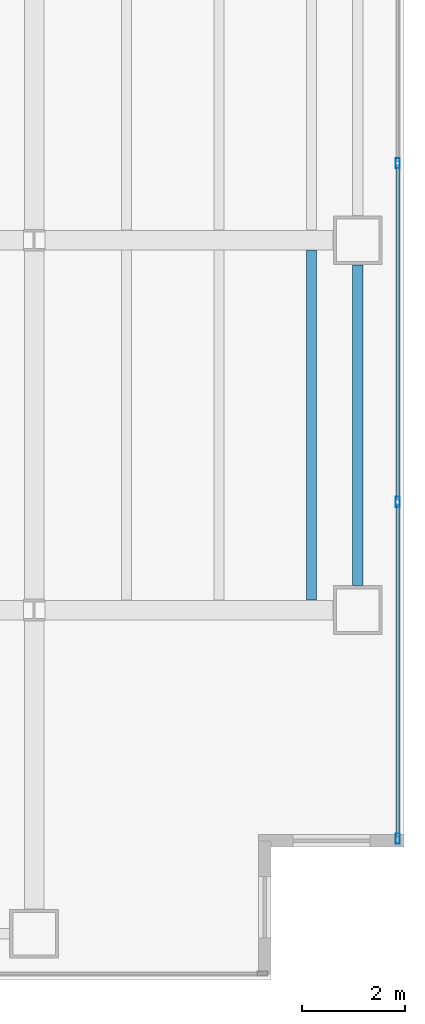
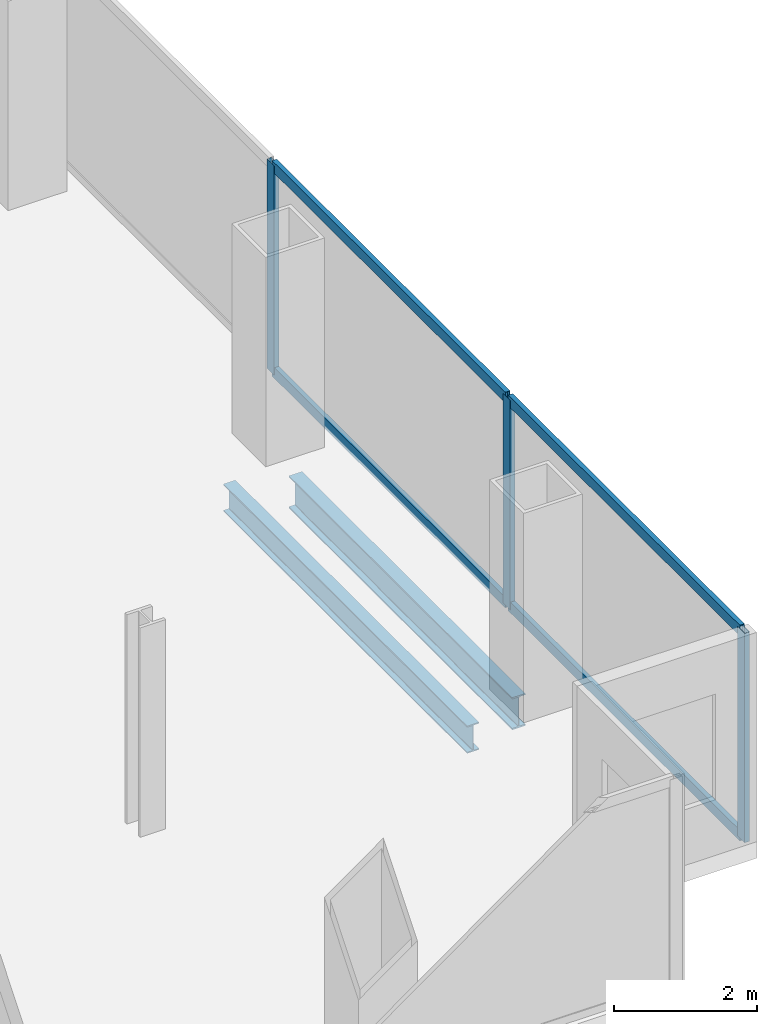
# One storey, part 10 of 23: 7 members, 2 beams, 1 element without a shape of its own.
"""IFC4 building model written with IfcOpenShell, lengths in metres."""

from ifc_helpers import new_model, si_unit, direction, frame, origin, origin_2d, place, context, subcontext, project, spatial, hollow_rectangle, i_section, extrude, material, material_profile, profile_set, type_object, element, aggregate, save


model = new_model("IFC4")

# Units and contexts
model_context = context("Model", 3, precision=1e-05, world=origin(), true_north=direction((0.0, 1.0)))
body_context = subcontext(model_context, "Body", "Model", "MODEL_VIEW")
ifc_project = project(units=[si_unit("LENGTHUNIT", "METRE"), si_unit("AREAUNIT", "SQUARE_METRE"), si_unit("VOLUMEUNIT", "CUBIC_METRE"), si_unit("PLANEANGLEUNIT", "RADIAN"), si_unit("MASSUNIT", "GRAM", prefix="KILO")], contexts=[model_context])

# Site, building, storey
site_placement = place(None, origin())
site = spatial("IfcSite", under=ifc_project, at=site_placement, CompositionType="ELEMENT")
building_placement = place(site_placement, origin())
building = spatial("IfcBuilding", under=site, at=building_placement, Name="Cobrela Telecom Tower", CompositionType="ELEMENT")
storey_placement = place(building_placement, frame((0.0, 0.0, 88.89990234375)))
storey = spatial("IfcBuildingStorey", under=building, at=storey_placement, Name="L22", CompositionType="ELEMENT", Elevation=88.89990234375)

# Beams
ifc_material_1 = material(Name="Steel ASTM A992 Grade 50", Category="steel")
ifc_material_profile_1 = material_profile(ifc_material_1, i_section(OverallWidth=0.193115234375, OverallDepth=0.467041015625, WebThickness=0.011474609375, FlangeThickness=0.01904296875, FilletRadius=0.012939453125, at=origin_2d()), Name="W18X65")
ifc_profile_set_1 = profile_set([ifc_material_profile_1], Name="Steel ASTM A992 Grade 50")
beam_type_1 = type_object("IfcBeamType", Name="BM-JOIST-03", PredefinedType="JOIST", material=ifc_profile_set_1)
beam_1_placement = place(storey_placement, frame((48.60009765625, 7.3955078125, -0.513427734375), z_axis=(0.0, 1.0, 0.0), x_axis=(-1.0, 0.0, 0.0)))
element("IfcBeam", 1, at=beam_1_placement, inside=storey, type_object=beam_type_1, Name="L22 Secondary Composite Floor Beam J63", PredefinedType="JOIST", context=body_context, shape_type="SweptSolid", body=[
    extrude(i_section(OverallWidth=0.193115234375, OverallDepth=0.467041015625, WebThickness=0.011474609375, FlangeThickness=0.01904296875, FilletRadius=0.012939453125, at=origin_2d()), origin(), (0.0, 0.0, 1.0), 6.80908203125),
])
ifc_material_profile_2 = material_profile(ifc_material_1, i_section(OverallWidth=0.212890625, OverallDepth=0.549072265625, WebThickness=0.0146484375, FlangeThickness=0.023681640625, FilletRadius=0.013916015625, at=origin_2d()), Name="W21X93")
ifc_profile_set_2 = profile_set([ifc_material_profile_2], Name="Steel ASTM A992 Grade 50")
beam_type_2 = type_object("IfcBeamType", Name="BM-SPAND-03", PredefinedType="SPANDREL", material=ifc_profile_set_2)
beam_2_placement = place(storey_placement, frame((49.5, 7.679931640625, -0.554443359375), z_axis=(0.0, 1.0, 0.0), x_axis=(-1.0, 0.0, 0.0)))
element("IfcBeam", 2, at=beam_2_placement, inside=storey, type_object=beam_type_2, Name="L22 Perimeter Spandrel Y56", PredefinedType="SPANDREL", context=body_context, shape_type="SweptSolid", body=[
    extrude(i_section(OverallWidth=0.212890625, OverallDepth=0.549072265625, WebThickness=0.0146484375, FlangeThickness=0.023681640625, FilletRadius=0.013916015625, at=origin_2d()), origin(), (0.0, 0.0, 1.0), 6.239990234375),
])

# Curtain wall, members
ifc_material_2 = material(Name="Anodized Bronze Aluminium 6063-T6", Category="aluminium")
curtain_wall_type = type_object("IfcCurtainWallType", Name="CW-SYS-DATA", PredefinedType="USERDEFINED", material=ifc_material_2)
curtain_wall_placement = place(storey_placement, origin())
curtain_wall = element("IfcCurtainWall", 3, at=curtain_wall_placement, inside=storey, type_object=curtain_wall_type, Name="L22 Unitised Bronze Curtain Wall 14", ObjectType="UNITISED CURTAIN WALL", PredefinedType="USERDEFINED")
ifc_material_profile_3 = material_profile(ifc_material_2, hollow_rectangle(XDim=0.080078125, YDim=0.199951171875, WallThickness=0.00390625, at=origin_2d()), Name="ALU 80x200x4")
ifc_profile_set_3 = profile_set([ifc_material_profile_3], Name="Anodized Bronze Aluminium 6063-T6")
member_type_1 = type_object("IfcMemberType", Name="CW-SYS-DATA-MUL", PredefinedType="MULLION", material=ifc_profile_set_3)
member_1_placement = place(storey_placement, frame((50.280029296875, 15.896728515625, 0.0), z_axis=(0.0, 0.0, 1.0), x_axis=(1.0, 0.0, 0.0)))
member_1 = element("IfcMember", 4, at=member_1_placement, type_object=member_type_1, Name="CW-DATA mullion 2", PredefinedType="MULLION", context=body_context, shape_type="SweptSolid", body=[
    extrude(hollow_rectangle(XDim=0.080078125, YDim=0.199951171875, WallThickness=0.00390625, at=origin_2d()), origin(), (0.0, 0.0, 1.0), 3.570068359375),
])
member_2_placement = place(storey_placement, frame((50.280029296875, 9.30322265625, 0.0), z_axis=(0.0, 0.0, 1.0), x_axis=(1.0, 0.0, 0.0)))
member_2 = element("IfcMember", 5, at=member_2_placement, type_object=member_type_1, Name="CW-DATA mullion 3", PredefinedType="MULLION", context=body_context, shape_type="SweptSolid", body=[
    extrude(hollow_rectangle(XDim=0.080078125, YDim=0.199951171875, WallThickness=0.00390625, at=origin_2d()), origin(), (0.0, 0.0, 1.0), 3.570068359375),
])
member_3_placement = place(storey_placement, frame((50.280029296875, 2.75, 0.0), z_axis=(0.0, 0.0, 1.0), x_axis=(1.0, 0.0, 0.0)))
member_3 = element("IfcMember", 6, at=member_3_placement, type_object=member_type_1, Name="CW-DATA mullion 4", PredefinedType="MULLION", context=body_context, shape_type="SweptSolid", body=[
    extrude(hollow_rectangle(XDim=0.080078125, YDim=0.199951171875, WallThickness=0.00390625, at=origin_2d()), origin(), (0.0, 0.0, 1.0), 3.570068359375),
])
ifc_material_profile_4 = material_profile(ifc_material_2, hollow_rectangle(XDim=0.074951171875, YDim=0.179931640625, WallThickness=0.00390625, at=origin_2d()), Name="ALU 75x180x4")
ifc_profile_set_4 = profile_set([ifc_material_profile_4], Name="Anodized Bronze Aluminium 6063-T6")
member_type_2 = type_object("IfcMemberType", Name="CW-SYS-DATA-TRN", PredefinedType="USERDEFINED", material=ifc_profile_set_4)
member_4_placement = place(storey_placement, frame((50.280029296875, 15.856689453125, 0.03759765625), z_axis=(0.0, -1.0, 0.0), x_axis=(1.0, 0.0, 0.0)))
member_4 = element("IfcMember", 7, at=member_4_placement, type_object=member_type_2, Name="CW-DATA transom 2.1", ObjectType="TRANSOM", PredefinedType="USERDEFINED", context=body_context, shape_type="SweptSolid", body=[
    extrude(hollow_rectangle(XDim=0.074951171875, YDim=0.179931640625, WallThickness=0.00390625, at=origin_2d()), origin(), (0.0, 0.0, 1.0), 6.513427734375),
])
member_5_placement = place(storey_placement, frame((50.280029296875, 15.856689453125, 3.53271484375), z_axis=(0.0, -1.0, 0.0), x_axis=(1.0, 0.0, 0.0)))
member_5 = element("IfcMember", 8, at=member_5_placement, type_object=member_type_2, Name="CW-DATA transom 2.2", ObjectType="TRANSOM", PredefinedType="USERDEFINED", context=body_context, shape_type="SweptSolid", body=[
    extrude(hollow_rectangle(XDim=0.074951171875, YDim=0.179931640625, WallThickness=0.00390625, at=origin_2d()), origin(), (0.0, 0.0, 1.0), 6.513427734375),
])
member_6_placement = place(storey_placement, frame((50.280029296875, 9.263427734375, 0.03759765625), z_axis=(0.0, -1.0, 0.0), x_axis=(1.0, 0.0, 0.0)))
member_6 = element("IfcMember", 9, at=member_6_placement, type_object=member_type_2, Name="CW-DATA transom 3.1", ObjectType="TRANSOM", PredefinedType="USERDEFINED", context=body_context, shape_type="SweptSolid", body=[
    extrude(hollow_rectangle(XDim=0.074951171875, YDim=0.179931640625, WallThickness=0.00390625, at=origin_2d()), origin(), (0.0, 0.0, 1.0), 6.473388671875),
])
member_7_placement = place(storey_placement, frame((50.280029296875, 9.263427734375, 3.53271484375), z_axis=(0.0, -1.0, 0.0), x_axis=(1.0, 0.0, 0.0)))
member_7 = element("IfcMember", 10, at=member_7_placement, type_object=member_type_2, Name="CW-DATA transom 3.2", ObjectType="TRANSOM", PredefinedType="USERDEFINED", context=body_context, shape_type="SweptSolid", body=[
    extrude(hollow_rectangle(XDim=0.074951171875, YDim=0.179931640625, WallThickness=0.00390625, at=origin_2d()), origin(), (0.0, 0.0, 1.0), 6.473388671875),
])
aggregate(curtain_wall, [member_1, member_2, member_3, member_4, member_5, member_6, member_7])

save(model, "model.ifc")
